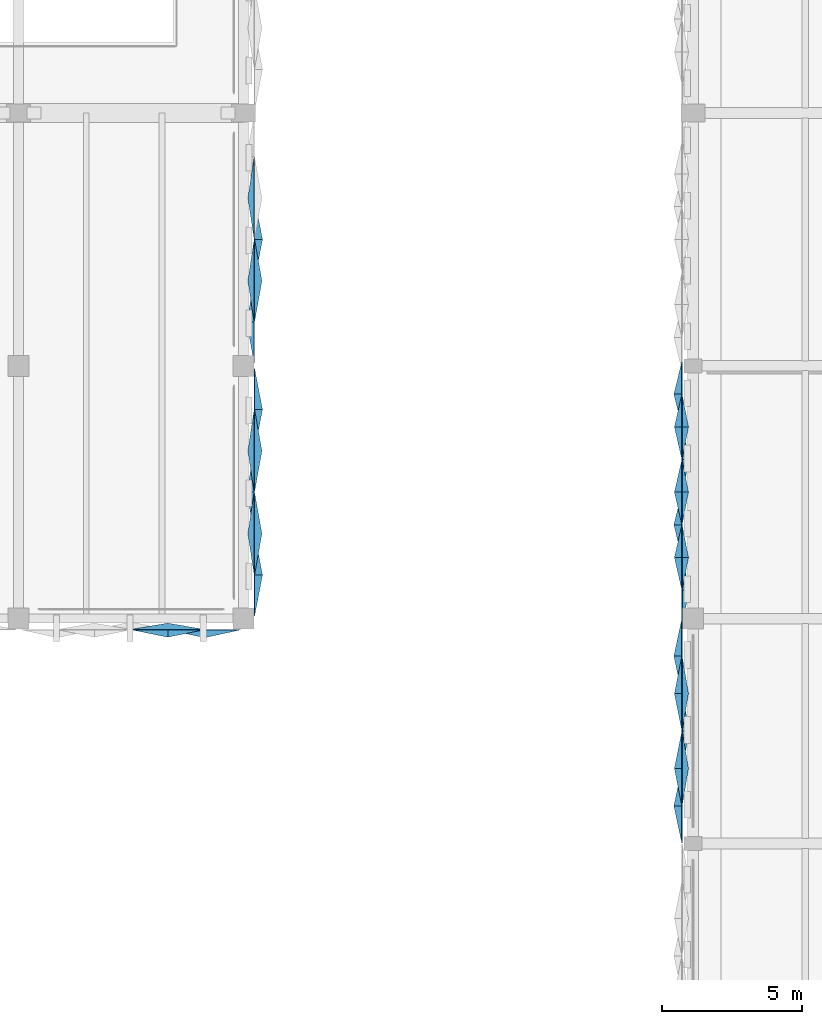
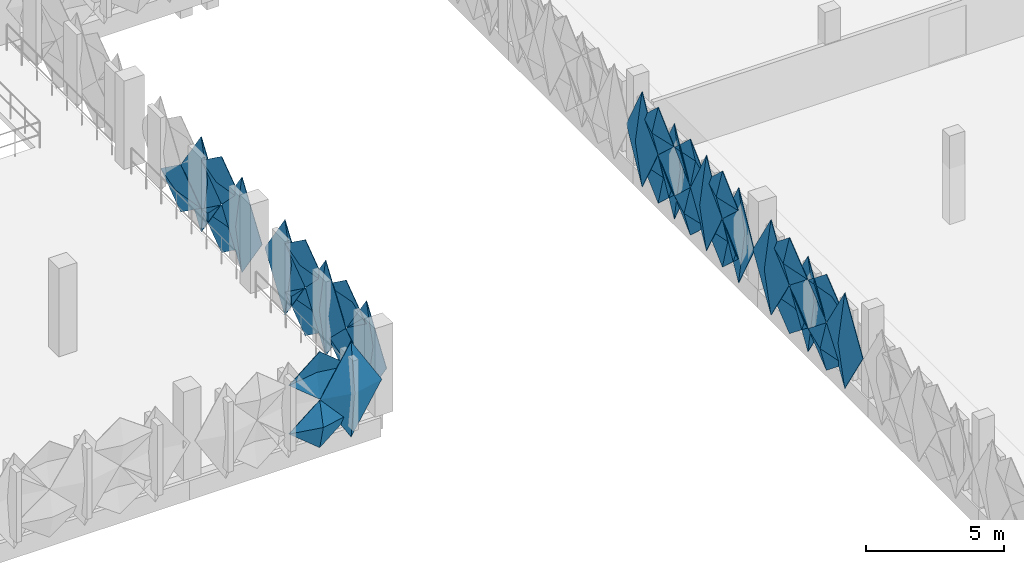
# One storey, part 58 of 76: 32 plates.
"""IFC4 building model written with IfcOpenShell, lengths in metres."""

from ifc_helpers import new_model, si_unit, derived_unit, direction, frame, origin, place, context, subcontext, project, spatial, polygons, material, layer, layer_set, type_object, element, save


model = new_model("IFC4")

# Units and contexts
model_context = context("Model", 3, precision=1e-05, world=origin(), true_north=direction((0.0, 1.0)))
body_context = subcontext(model_context, "Body", "Model", "MODEL_VIEW")
ifc_project = project(units=[si_unit("LENGTHUNIT", "METRE"), si_unit("AREAUNIT", "SQUARE_METRE"), si_unit("VOLUMEUNIT", "CUBIC_METRE"), si_unit("PLANEANGLEUNIT", "RADIAN"), si_unit("MASSUNIT", "GRAM", prefix="KILO"), si_unit("THERMODYNAMICTEMPERATUREUNIT", "KELVIN"), derived_unit("THERMALTRANSMITTANCEUNIT", [(si_unit("POWERUNIT", "WATT"), 1), (si_unit("AREAUNIT", "SQUARE_METRE"), -1), (si_unit("THERMODYNAMICTEMPERATUREUNIT", "KELVIN"), -1)])], contexts=[model_context])

# Site, building, storey
site_placement = place(None, origin())
site = spatial("IfcSite", under=ifc_project, at=site_placement, CompositionType="ELEMENT")
building_placement = place(site_placement, origin())
building = spatial("IfcBuilding", under=site, at=building_placement, Name="Haiyu Intermodal Mobility Hub", CompositionType="ELEMENT")
storey_placement = place(building_placement, frame((0.0, 0.0, 17.300048828125)))
storey = spatial("IfcBuildingStorey", under=building, at=storey_placement, Name="L04", CompositionType="ELEMENT", Elevation=17.300048828125)

# Plates
ifc_material = material(Name="Anodised aluminium 6063-T6", Category="aluminium")
ifc_layer_1 = layer(ifc_material, 0.01806640625)
ifc_layer_set_1 = layer_set([ifc_layer_1], Name="Anodised aluminium 6063-T6")
plate_type_1 = type_object("IfcPlateType", Name="PLT-FC01", PredefinedType="USERDEFINED", material=ifc_layer_set_1)
plate_1_placement = place(storey_placement, origin())
element("IfcPlate", 1, at=plate_1_placement, inside=storey, type_object=plate_type_1, Name="PLT-PYR-0705", ObjectType="FACADE CASSETTE", PredefinedType="USERDEFINED", context=body_context, shape_type="Tessellation", body=[
    polygons([(146.39990234375, 105.552978515625, -0.510009765625), (146.39990234375, 107.007080078125, 1.599853515625), (146.39990234375, 105.552978515625, 3.7099609375), (146.39990234375, 104.10009765625, 1.599853515625), (146.679931640625, 105.552978515625, 1.599853515625), (146.3779296875, 105.552978515625, -0.510009765625), (146.3779296875, 107.007080078125, 1.599853515625), (146.3779296875, 105.552978515625, 3.7099609375), (146.3779296875, 104.10009765625, 1.599853515625), (146.657958984375, 105.552978515625, 1.599853515625)], [[[1, 2, 5]], [[2, 3, 5]], [[3, 4, 5]], [[4, 1, 5]], [[7, 6, 10]], [[8, 7, 10]], [[9, 8, 10]], [[6, 9, 10]], [[1, 6, 7, 2]], [[2, 7, 8, 3]], [[3, 8, 9, 4]], [[4, 9, 6, 1]]], closed=True),
])
plate_2_placement = place(storey_placement, origin())
element("IfcPlate", 2, at=plate_2_placement, inside=storey, type_object=plate_type_1, Name="PLT-PYR-0709", ObjectType="FACADE CASSETTE", PredefinedType="USERDEFINED", context=body_context, shape_type="Tessellation", body=[
    polygons([(146.39990234375, 109.972900390625, -0.52001953125), (146.39990234375, 111.427001953125, 0.530029296875), (146.39990234375, 109.972900390625, 1.579833984375), (146.39990234375, 108.52001953125, 0.530029296875), (146.659912109375, 109.972900390625, 0.530029296875), (146.3779296875, 109.972900390625, -0.52001953125), (146.3779296875, 111.427001953125, 0.530029296875), (146.3779296875, 109.972900390625, 1.579833984375), (146.3779296875, 108.52001953125, 0.530029296875), (146.637939453125, 109.972900390625, 0.530029296875)], [[[1, 2, 5]], [[2, 3, 5]], [[3, 4, 5]], [[4, 1, 5]], [[7, 6, 10]], [[8, 7, 10]], [[9, 8, 10]], [[6, 9, 10]], [[1, 6, 7, 2]], [[2, 7, 8, 3]], [[3, 8, 9, 4]], [[4, 9, 6, 1]]], closed=True),
])
plate_3_placement = place(storey_placement, origin())
element("IfcPlate", 3, at=plate_3_placement, inside=storey, type_object=plate_type_1, Name="PLT-PYR-0713", ObjectType="FACADE CASSETTE", PredefinedType="USERDEFINED", context=body_context, shape_type="Tessellation", body=[
    polygons([(146.39990234375, 116.027099609375, -0.52001953125), (146.39990234375, 117.47998046875, 0.530029296875), (146.39990234375, 116.027099609375, 1.579833984375), (146.39990234375, 114.572998046875, 0.530029296875), (146.659912109375, 116.027099609375, 0.530029296875), (146.3779296875, 116.027099609375, -0.52001953125), (146.3779296875, 117.47998046875, 0.530029296875), (146.3779296875, 116.027099609375, 1.579833984375), (146.3779296875, 114.572998046875, 0.530029296875), (146.637939453125, 116.027099609375, 0.530029296875)], [[[1, 2, 5]], [[2, 3, 5]], [[3, 4, 5]], [[4, 1, 5]], [[7, 6, 10]], [[8, 7, 10]], [[9, 8, 10]], [[6, 9, 10]], [[1, 6, 7, 2]], [[2, 7, 8, 3]], [[3, 8, 9, 4]], [[4, 9, 6, 1]]], closed=True),
])
plate_4_placement = place(storey_placement, origin())
element("IfcPlate", 4, at=plate_4_placement, inside=storey, type_object=plate_type_1, Name="PLT-PYR-1005", ObjectType="FACADE CASSETTE", PredefinedType="USERDEFINED", context=body_context, shape_type="Tessellation", body=[
    polygons([(143.306884765625, 103.60009765625, -0.52001953125), (144.593017578125, 103.60009765625, 0.530029296875), (143.306884765625, 103.60009765625, 1.579833984375), (142.02001953125, 103.60009765625, 0.530029296875), (143.306884765625, 103.340087890625, 0.530029296875), (143.306884765625, 103.6220703125, -0.52001953125), (144.593017578125, 103.6220703125, 0.530029296875), (143.306884765625, 103.6220703125, 1.579833984375), (142.02001953125, 103.6220703125, 0.530029296875), (143.306884765625, 103.362060546875, 0.530029296875)], [[[1, 2, 5]], [[2, 3, 5]], [[3, 4, 5]], [[4, 1, 5]], [[7, 6, 10]], [[8, 7, 10]], [[9, 8, 10]], [[6, 9, 10]], [[1, 6, 7, 2]], [[2, 7, 8, 3]], [[3, 8, 9, 4]], [[4, 9, 6, 1]]], closed=True),
])
plate_5_placement = place(storey_placement, origin())
element("IfcPlate", 5, at=plate_5_placement, inside=storey, type_object=plate_type_1, Name="PLT-PYR-1982", ObjectType="FACADE CASSETTE", PredefinedType="USERDEFINED", context=body_context, shape_type="Tessellation", body=[
    polygons([(161.60009765625, 111.988037109375, -0.510009765625), (161.60009765625, 110.844970703125, 1.599853515625), (161.60009765625, 111.988037109375, 3.7099609375), (161.60009765625, 113.1298828125, 1.599853515625), (161.320068359375, 111.988037109375, 1.599853515625), (161.6220703125, 111.988037109375, -0.510009765625), (161.6220703125, 110.844970703125, 1.599853515625), (161.6220703125, 111.988037109375, 3.7099609375), (161.6220703125, 113.1298828125, 1.599853515625), (161.342041015625, 111.988037109375, 1.599853515625)], [[[1, 2, 5]], [[2, 3, 5]], [[3, 4, 5]], [[4, 1, 5]], [[7, 6, 10]], [[8, 7, 10]], [[9, 8, 10]], [[6, 9, 10]], [[1, 6, 7, 2]], [[2, 7, 8, 3]], [[3, 8, 9, 4]], [[4, 9, 6, 1]]], closed=True),
])
plate_6_placement = place(storey_placement, origin())
element("IfcPlate", 6, at=plate_6_placement, inside=storey, type_object=plate_type_1, Name="PLT-PYR-1986", ObjectType="FACADE CASSETTE", PredefinedType="USERDEFINED", context=body_context, shape_type="Tessellation", body=[
    polygons([(161.60009765625, 108.5, -0.52001953125), (161.60009765625, 107.35791015625, 0.530029296875), (161.60009765625, 108.5, 1.579833984375), (161.60009765625, 109.64306640625, 0.530029296875), (161.340087890625, 108.5, 0.530029296875), (161.6220703125, 108.5, -0.52001953125), (161.6220703125, 107.35791015625, 0.530029296875), (161.6220703125, 108.5, 1.579833984375), (161.6220703125, 109.64306640625, 0.530029296875), (161.362060546875, 108.5, 0.530029296875)], [[[1, 2, 5]], [[2, 3, 5]], [[3, 4, 5]], [[4, 1, 5]], [[7, 6, 10]], [[8, 7, 10]], [[9, 8, 10]], [[6, 9, 10]], [[1, 6, 7, 2]], [[2, 7, 8, 3]], [[3, 8, 9, 4]], [[4, 9, 6, 1]]], closed=True),
])
plate_7_placement = place(storey_placement, origin())
element("IfcPlate", 7, at=plate_7_placement, inside=storey, type_object=plate_type_1, Name="PLT-PYR-2162", ObjectType="FACADE CASSETTE", PredefinedType="USERDEFINED", context=body_context, shape_type="Tessellation", body=[
    polygons([(161.60009765625, 102.6669921875, -0.510009765625), (161.60009765625, 101.35302734375, 1.599853515625), (161.60009765625, 102.6669921875, 3.7099609375), (161.60009765625, 103.97998046875, 1.599853515625), (161.320068359375, 102.6669921875, 1.599853515625), (161.6220703125, 102.6669921875, -0.510009765625), (161.6220703125, 101.35302734375, 1.599853515625), (161.6220703125, 102.6669921875, 3.7099609375), (161.6220703125, 103.97998046875, 1.599853515625), (161.342041015625, 102.6669921875, 1.599853515625)], [[[1, 2, 5]], [[2, 3, 5]], [[3, 4, 5]], [[4, 1, 5]], [[7, 6, 10]], [[8, 7, 10]], [[9, 8, 10]], [[6, 9, 10]], [[1, 6, 7, 2]], [[2, 7, 8, 3]], [[3, 8, 9, 4]], [[4, 9, 6, 1]]], closed=True),
])
plate_8_placement = place(storey_placement, origin())
element("IfcPlate", 8, at=plate_8_placement, inside=storey, type_object=plate_type_1, Name="PLT-PYR-2166", ObjectType="FACADE CASSETTE", PredefinedType="USERDEFINED", context=body_context, shape_type="Tessellation", body=[
    polygons([(161.60009765625, 98.6669921875, -0.52001953125), (161.60009765625, 97.35302734375, 0.530029296875), (161.60009765625, 98.6669921875, 1.579833984375), (161.60009765625, 99.97998046875, 0.530029296875), (161.340087890625, 98.6669921875, 0.530029296875), (161.6220703125, 98.6669921875, -0.52001953125), (161.6220703125, 97.35302734375, 0.530029296875), (161.6220703125, 98.6669921875, 1.579833984375), (161.6220703125, 99.97998046875, 0.530029296875), (161.362060546875, 98.6669921875, 0.530029296875)], [[[1, 2, 5]], [[2, 3, 5]], [[3, 4, 5]], [[4, 1, 5]], [[7, 6, 10]], [[8, 7, 10]], [[9, 8, 10]], [[6, 9, 10]], [[1, 6, 7, 2]], [[2, 7, 8, 3]], [[3, 8, 9, 4]], [[4, 9, 6, 1]]], closed=True),
])
ifc_layer_2 = layer(ifc_material, 0.02001953125)
ifc_layer_set_2 = layer_set([ifc_layer_2], Name="Anodised aluminium 6063-T6")
plate_type_2 = type_object("IfcPlateType", Name="PLT-FC02", PredefinedType="USERDEFINED", material=ifc_layer_set_2)
plate_9_placement = place(storey_placement, origin())
element("IfcPlate", 9, at=plate_9_placement, inside=storey, type_object=plate_type_2, Name="PLT-PYR-0706", ObjectType="FACADE CASSETTE", PredefinedType="USERDEFINED", context=body_context, shape_type="Tessellation", body=[
    polygons([(146.39990234375, 107.027099609375, -0.52001953125), (146.39990234375, 108.47998046875, 0.530029296875), (146.39990234375, 107.027099609375, 1.579833984375), (146.39990234375, 105.572998046875, 0.530029296875), (146.179931640625, 107.027099609375, 0.530029296875), (146.3779296875, 107.027099609375, -0.52001953125), (146.3779296875, 108.47998046875, 0.530029296875), (146.3779296875, 107.027099609375, 1.579833984375), (146.3779296875, 105.572998046875, 0.530029296875), (146.157958984375, 107.027099609375, 0.530029296875)], [[[1, 2, 5]], [[2, 3, 5]], [[3, 4, 5]], [[4, 1, 5]], [[7, 6, 10]], [[8, 7, 10]], [[9, 8, 10]], [[6, 9, 10]], [[1, 6, 7, 2]], [[2, 7, 8, 3]], [[3, 8, 9, 4]], [[4, 9, 6, 1]]], closed=True),
])
plate_10_placement = place(storey_placement, origin())
element("IfcPlate", 10, at=plate_10_placement, inside=storey, type_object=plate_type_2, Name="PLT-PYR-0712", ObjectType="FACADE CASSETTE", PredefinedType="USERDEFINED", context=body_context, shape_type="Tessellation", body=[
    polygons([(146.39990234375, 114.552978515625, -0.510009765625), (146.39990234375, 116.007080078125, 1.599853515625), (146.39990234375, 114.552978515625, 3.7099609375), (146.39990234375, 113.10009765625, 1.599853515625), (146.139892578125, 114.552978515625, 1.599853515625), (146.3779296875, 114.552978515625, -0.510009765625), (146.3779296875, 116.007080078125, 1.599853515625), (146.3779296875, 114.552978515625, 3.7099609375), (146.3779296875, 113.10009765625, 1.599853515625), (146.117919921875, 114.552978515625, 1.599853515625)], [[[1, 2, 5]], [[2, 3, 5]], [[3, 4, 5]], [[4, 1, 5]], [[7, 6, 10]], [[8, 7, 10]], [[9, 8, 10]], [[6, 9, 10]], [[1, 6, 7, 2]], [[2, 7, 8, 3]], [[3, 8, 9, 4]], [[4, 9, 6, 1]]], closed=True),
])
plate_11_placement = place(storey_placement, origin())
element("IfcPlate", 11, at=plate_11_placement, inside=storey, type_object=plate_type_2, Name="PLT-PYR-0716", ObjectType="FACADE CASSETTE", PredefinedType="USERDEFINED", context=body_context, shape_type="Tessellation", body=[
    polygons([(146.39990234375, 118.972900390625, -0.52001953125), (146.39990234375, 120.427001953125, 0.530029296875), (146.39990234375, 118.972900390625, 1.579833984375), (146.39990234375, 117.52001953125, 0.530029296875), (146.179931640625, 118.972900390625, 0.530029296875), (146.3779296875, 118.972900390625, -0.52001953125), (146.3779296875, 120.427001953125, 0.530029296875), (146.3779296875, 118.972900390625, 1.579833984375), (146.3779296875, 117.52001953125, 0.530029296875), (146.157958984375, 118.972900390625, 0.530029296875)], [[[1, 2, 5]], [[2, 3, 5]], [[3, 4, 5]], [[4, 1, 5]], [[7, 6, 10]], [[8, 7, 10]], [[9, 8, 10]], [[6, 9, 10]], [[1, 6, 7, 2]], [[2, 7, 8, 3]], [[3, 8, 9, 4]], [[4, 9, 6, 1]]], closed=True),
])
plate_12_placement = place(storey_placement, origin())
element("IfcPlate", 12, at=plate_12_placement, inside=storey, type_object=plate_type_2, Name="PLT-PYR-1983", ObjectType="FACADE CASSETTE", PredefinedType="USERDEFINED", context=body_context, shape_type="Tessellation", body=[
    polygons([(161.60009765625, 110.824951171875, -0.52001953125), (161.60009765625, 109.681884765625, 0.530029296875), (161.60009765625, 110.824951171875, 1.579833984375), (161.60009765625, 111.968017578125, 0.530029296875), (161.820068359375, 110.824951171875, 0.530029296875), (161.6220703125, 110.824951171875, -0.52001953125), (161.6220703125, 109.681884765625, 0.530029296875), (161.6220703125, 110.824951171875, 1.579833984375), (161.6220703125, 111.968017578125, 0.530029296875), (161.842041015625, 110.824951171875, 0.530029296875)], [[[1, 2, 5]], [[2, 3, 5]], [[3, 4, 5]], [[4, 1, 5]], [[7, 6, 10]], [[8, 7, 10]], [[9, 8, 10]], [[6, 9, 10]], [[1, 6, 7, 2]], [[2, 7, 8, 3]], [[3, 8, 9, 4]], [[4, 9, 6, 1]]], closed=True),
])
plate_13_placement = place(storey_placement, origin())
element("IfcPlate", 13, at=plate_13_placement, inside=storey, type_object=plate_type_2, Name="PLT-PYR-1989", ObjectType="FACADE CASSETTE", PredefinedType="USERDEFINED", context=body_context, shape_type="Tessellation", body=[
    polygons([(161.60009765625, 106.175048828125, -0.52001953125), (161.60009765625, 105.031982421875, 0.530029296875), (161.60009765625, 106.175048828125, 1.579833984375), (161.60009765625, 107.318115234375, 0.530029296875), (161.820068359375, 106.175048828125, 0.530029296875), (161.6220703125, 106.175048828125, -0.52001953125), (161.6220703125, 105.031982421875, 0.530029296875), (161.6220703125, 106.175048828125, 1.579833984375), (161.6220703125, 107.318115234375, 0.530029296875), (161.842041015625, 106.175048828125, 0.530029296875)], [[[1, 2, 5]], [[2, 3, 5]], [[3, 4, 5]], [[4, 1, 5]], [[7, 6, 10]], [[8, 7, 10]], [[9, 8, 10]], [[6, 9, 10]], [[1, 6, 7, 2]], [[2, 7, 8, 3]], [[3, 8, 9, 4]], [[4, 9, 6, 1]]], closed=True),
])
plate_14_placement = place(storey_placement, origin())
element("IfcPlate", 14, at=plate_14_placement, inside=storey, type_object=plate_type_2, Name="PLT-PYR-2163", ObjectType="FACADE CASSETTE", PredefinedType="USERDEFINED", context=body_context, shape_type="Tessellation", body=[
    polygons([(161.60009765625, 101.3330078125, -0.52001953125), (161.60009765625, 100.02001953125, 0.530029296875), (161.60009765625, 101.3330078125, 1.579833984375), (161.60009765625, 102.64697265625, 0.530029296875), (161.820068359375, 101.3330078125, 0.530029296875), (161.6220703125, 101.3330078125, -0.52001953125), (161.6220703125, 100.02001953125, 0.530029296875), (161.6220703125, 101.3330078125, 1.579833984375), (161.6220703125, 102.64697265625, 0.530029296875), (161.842041015625, 101.3330078125, 0.530029296875)], [[[1, 2, 5]], [[2, 3, 5]], [[3, 4, 5]], [[4, 1, 5]], [[7, 6, 10]], [[8, 7, 10]], [[9, 8, 10]], [[6, 9, 10]], [[1, 6, 7, 2]], [[2, 7, 8, 3]], [[3, 8, 9, 4]], [[4, 9, 6, 1]]], closed=True),
])
ifc_layer_3 = layer(ifc_material, 0.01806640625)
ifc_layer_set_3 = layer_set([ifc_layer_3], Name="Anodised aluminium 6063-T6")
plate_type_3 = type_object("IfcPlateType", Name="PLT-FC03", PredefinedType="USERDEFINED", material=ifc_layer_set_3)
plate_15_placement = place(storey_placement, origin())
element("IfcPlate", 15, at=plate_15_placement, inside=storey, type_object=plate_type_3, Name="PLT-PYR-0707", ObjectType="FACADE CASSETTE", PredefinedType="USERDEFINED", context=body_context, shape_type="Tessellation", body=[
    polygons([(146.39990234375, 107.027099609375, 1.619873046875), (146.39990234375, 108.47998046875, 2.669921875), (146.39990234375, 107.027099609375, 3.719970703125), (146.39990234375, 105.572998046875, 2.669921875), (146.659912109375, 107.027099609375, 2.669921875), (146.3779296875, 107.027099609375, 1.619873046875), (146.3779296875, 108.47998046875, 2.669921875), (146.3779296875, 107.027099609375, 3.719970703125), (146.3779296875, 105.572998046875, 2.669921875), (146.637939453125, 107.027099609375, 2.669921875)], [[[1, 2, 5]], [[2, 3, 5]], [[3, 4, 5]], [[4, 1, 5]], [[7, 6, 10]], [[8, 7, 10]], [[9, 8, 10]], [[6, 9, 10]], [[1, 6, 7, 2]], [[2, 7, 8, 3]], [[3, 8, 9, 4]], [[4, 9, 6, 1]]], closed=True),
])
plate_16_placement = place(storey_placement, origin())
element("IfcPlate", 16, at=plate_16_placement, inside=storey, type_object=plate_type_3, Name="PLT-PYR-0715", ObjectType="FACADE CASSETTE", PredefinedType="USERDEFINED", context=body_context, shape_type="Tessellation", body=[
    polygons([(146.39990234375, 117.5, -0.510009765625), (146.39990234375, 118.952880859375, 1.599853515625), (146.39990234375, 117.5, 3.7099609375), (146.39990234375, 116.047119140625, 1.599853515625), (146.679931640625, 117.5, 1.599853515625), (146.3779296875, 117.5, -0.510009765625), (146.3779296875, 118.952880859375, 1.599853515625), (146.3779296875, 117.5, 3.7099609375), (146.3779296875, 116.047119140625, 1.599853515625), (146.657958984375, 117.5, 1.599853515625)], [[[1, 2, 5]], [[2, 3, 5]], [[3, 4, 5]], [[4, 1, 5]], [[7, 6, 10]], [[8, 7, 10]], [[9, 8, 10]], [[6, 9, 10]], [[1, 6, 7, 2]], [[2, 7, 8, 3]], [[3, 8, 9, 4]], [[4, 9, 6, 1]]], closed=True),
])
plate_17_placement = place(storey_placement, origin())
element("IfcPlate", 17, at=plate_17_placement, inside=storey, type_object=plate_type_3, Name="PLT-PYR-1984", ObjectType="FACADE CASSETTE", PredefinedType="USERDEFINED", context=body_context, shape_type="Tessellation", body=[
    polygons([(161.60009765625, 110.824951171875, 1.619873046875), (161.60009765625, 109.681884765625, 2.669921875), (161.60009765625, 110.824951171875, 3.719970703125), (161.60009765625, 111.968017578125, 2.669921875), (161.340087890625, 110.824951171875, 2.669921875), (161.6220703125, 110.824951171875, 1.619873046875), (161.6220703125, 109.681884765625, 2.669921875), (161.6220703125, 110.824951171875, 3.719970703125), (161.6220703125, 111.968017578125, 2.669921875), (161.362060546875, 110.824951171875, 2.669921875)], [[[1, 2, 5]], [[2, 3, 5]], [[3, 4, 5]], [[4, 1, 5]], [[7, 6, 10]], [[8, 7, 10]], [[9, 8, 10]], [[6, 9, 10]], [[1, 6, 7, 2]], [[2, 7, 8, 3]], [[3, 8, 9, 4]], [[4, 9, 6, 1]]], closed=True),
])
plate_18_placement = place(storey_placement, origin())
element("IfcPlate", 18, at=plate_18_placement, inside=storey, type_object=plate_type_3, Name="PLT-PYR-1990", ObjectType="FACADE CASSETTE", PredefinedType="USERDEFINED", context=body_context, shape_type="Tessellation", body=[
    polygons([(161.60009765625, 106.175048828125, 1.619873046875), (161.60009765625, 105.031982421875, 2.669921875), (161.60009765625, 106.175048828125, 3.719970703125), (161.60009765625, 107.318115234375, 2.669921875), (161.340087890625, 106.175048828125, 2.669921875), (161.6220703125, 106.175048828125, 1.619873046875), (161.6220703125, 105.031982421875, 2.669921875), (161.6220703125, 106.175048828125, 3.719970703125), (161.6220703125, 107.318115234375, 2.669921875), (161.362060546875, 106.175048828125, 2.669921875)], [[[1, 2, 5]], [[2, 3, 5]], [[3, 4, 5]], [[4, 1, 5]], [[7, 6, 10]], [[8, 7, 10]], [[9, 8, 10]], [[6, 9, 10]], [[1, 6, 7, 2]], [[2, 7, 8, 3]], [[3, 8, 9, 4]], [[4, 9, 6, 1]]], closed=True),
])
plate_19_placement = place(storey_placement, origin())
element("IfcPlate", 19, at=plate_19_placement, inside=storey, type_object=plate_type_3, Name="PLT-PYR-2164", ObjectType="FACADE CASSETTE", PredefinedType="USERDEFINED", context=body_context, shape_type="Tessellation", body=[
    polygons([(161.60009765625, 101.3330078125, 1.619873046875), (161.60009765625, 100.02001953125, 2.669921875), (161.60009765625, 101.3330078125, 3.719970703125), (161.60009765625, 102.64697265625, 2.669921875), (161.340087890625, 101.3330078125, 2.669921875), (161.6220703125, 101.3330078125, 1.619873046875), (161.6220703125, 100.02001953125, 2.669921875), (161.6220703125, 101.3330078125, 3.719970703125), (161.6220703125, 102.64697265625, 2.669921875), (161.362060546875, 101.3330078125, 2.669921875)], [[[1, 2, 5]], [[2, 3, 5]], [[3, 4, 5]], [[4, 1, 5]], [[7, 6, 10]], [[8, 7, 10]], [[9, 8, 10]], [[6, 9, 10]], [[1, 6, 7, 2]], [[2, 7, 8, 3]], [[3, 8, 9, 4]], [[4, 9, 6, 1]]], closed=True),
])
ifc_layer_4 = layer(ifc_material, 0.02001953125)
ifc_layer_set_4 = layer_set([ifc_layer_4], Name="Anodised aluminium 6063-T6")
plate_type_4 = type_object("IfcPlateType", Name="PLT-FC04", PredefinedType="USERDEFINED", material=ifc_layer_set_4)
plate_20_placement = place(storey_placement, origin())
element("IfcPlate", 20, at=plate_20_placement, inside=storey, type_object=plate_type_4, Name="PLT-PYR-0708", ObjectType="FACADE CASSETTE", PredefinedType="USERDEFINED", context=body_context, shape_type="Tessellation", body=[
    polygons([(146.39990234375, 108.5, -0.510009765625), (146.39990234375, 109.952880859375, 1.599853515625), (146.39990234375, 108.5, 3.7099609375), (146.39990234375, 107.047119140625, 1.599853515625), (146.139892578125, 108.5, 1.599853515625), (146.3779296875, 108.5, -0.510009765625), (146.3779296875, 109.952880859375, 1.599853515625), (146.3779296875, 108.5, 3.7099609375), (146.3779296875, 107.047119140625, 1.599853515625), (146.117919921875, 108.5, 1.599853515625)], [[[1, 2, 5]], [[2, 3, 5]], [[3, 4, 5]], [[4, 1, 5]], [[7, 6, 10]], [[8, 7, 10]], [[9, 8, 10]], [[6, 9, 10]], [[1, 6, 7, 2]], [[2, 7, 8, 3]], [[3, 8, 9, 4]], [[4, 9, 6, 1]]], closed=True),
])
plate_21_placement = place(storey_placement, origin())
element("IfcPlate", 21, at=plate_21_placement, inside=storey, type_object=plate_type_4, Name="PLT-PYR-0710", ObjectType="FACADE CASSETTE", PredefinedType="USERDEFINED", context=body_context, shape_type="Tessellation", body=[
    polygons([(146.39990234375, 109.972900390625, 1.619873046875), (146.39990234375, 111.427001953125, 2.669921875), (146.39990234375, 109.972900390625, 3.719970703125), (146.39990234375, 108.52001953125, 2.669921875), (146.179931640625, 109.972900390625, 2.669921875), (146.3779296875, 109.972900390625, 1.619873046875), (146.3779296875, 111.427001953125, 2.669921875), (146.3779296875, 109.972900390625, 3.719970703125), (146.3779296875, 108.52001953125, 2.669921875), (146.157958984375, 109.972900390625, 2.669921875)], [[[1, 2, 5]], [[2, 3, 5]], [[3, 4, 5]], [[4, 1, 5]], [[7, 6, 10]], [[8, 7, 10]], [[9, 8, 10]], [[6, 9, 10]], [[1, 6, 7, 2]], [[2, 7, 8, 3]], [[3, 8, 9, 4]], [[4, 9, 6, 1]]], closed=True),
])
plate_22_placement = place(storey_placement, origin())
element("IfcPlate", 22, at=plate_22_placement, inside=storey, type_object=plate_type_4, Name="PLT-PYR-0714", ObjectType="FACADE CASSETTE", PredefinedType="USERDEFINED", context=body_context, shape_type="Tessellation", body=[
    polygons([(146.39990234375, 116.027099609375, 1.619873046875), (146.39990234375, 117.47998046875, 2.669921875), (146.39990234375, 116.027099609375, 3.719970703125), (146.39990234375, 114.572998046875, 2.669921875), (146.179931640625, 116.027099609375, 2.669921875), (146.3779296875, 116.027099609375, 1.619873046875), (146.3779296875, 117.47998046875, 2.669921875), (146.3779296875, 116.027099609375, 3.719970703125), (146.3779296875, 114.572998046875, 2.669921875), (146.157958984375, 116.027099609375, 2.669921875)], [[[1, 2, 5]], [[2, 3, 5]], [[3, 4, 5]], [[4, 1, 5]], [[7, 6, 10]], [[8, 7, 10]], [[9, 8, 10]], [[6, 9, 10]], [[1, 6, 7, 2]], [[2, 7, 8, 3]], [[3, 8, 9, 4]], [[4, 9, 6, 1]]], closed=True),
])
plate_23_placement = place(storey_placement, origin())
element("IfcPlate", 23, at=plate_23_placement, inside=storey, type_object=plate_type_4, Name="PLT-PYR-1006", ObjectType="FACADE CASSETTE", PredefinedType="USERDEFINED", context=body_context, shape_type="Tessellation", body=[
    polygons([(143.306884765625, 103.60009765625, 1.619873046875), (144.593017578125, 103.60009765625, 2.669921875), (143.306884765625, 103.60009765625, 3.719970703125), (142.02001953125, 103.60009765625, 2.669921875), (143.306884765625, 103.820068359375, 2.669921875), (143.306884765625, 103.6220703125, 1.619873046875), (144.593017578125, 103.6220703125, 2.669921875), (143.306884765625, 103.6220703125, 3.719970703125), (142.02001953125, 103.6220703125, 2.669921875), (143.306884765625, 103.842041015625, 2.669921875)], [[[1, 2, 5]], [[2, 3, 5]], [[3, 4, 5]], [[4, 1, 5]], [[7, 6, 10]], [[8, 7, 10]], [[9, 8, 10]], [[6, 9, 10]], [[1, 6, 7, 2]], [[2, 7, 8, 3]], [[3, 8, 9, 4]], [[4, 9, 6, 1]]], closed=True),
])
plate_24_placement = place(storey_placement, origin())
element("IfcPlate", 24, at=plate_24_placement, inside=storey, type_object=plate_type_4, Name="PLT-PYR-1985", ObjectType="FACADE CASSETTE", PredefinedType="USERDEFINED", context=body_context, shape_type="Tessellation", body=[
    polygons([(161.60009765625, 109.6630859375, -0.510009765625), (161.60009765625, 108.52001953125, 1.599853515625), (161.60009765625, 109.6630859375, 3.7099609375), (161.60009765625, 110.804931640625, 1.599853515625), (161.860107421875, 109.6630859375, 1.599853515625), (161.6220703125, 109.6630859375, -0.510009765625), (161.6220703125, 108.52001953125, 1.599853515625), (161.6220703125, 109.6630859375, 3.7099609375), (161.6220703125, 110.804931640625, 1.599853515625), (161.882080078125, 109.6630859375, 1.599853515625)], [[[1, 2, 5]], [[2, 3, 5]], [[3, 4, 5]], [[4, 1, 5]], [[7, 6, 10]], [[8, 7, 10]], [[9, 8, 10]], [[6, 9, 10]], [[1, 6, 7, 2]], [[2, 7, 8, 3]], [[3, 8, 9, 4]], [[4, 9, 6, 1]]], closed=True),
])
plate_25_placement = place(storey_placement, origin())
element("IfcPlate", 25, at=plate_25_placement, inside=storey, type_object=plate_type_4, Name="PLT-PYR-1987", ObjectType="FACADE CASSETTE", PredefinedType="USERDEFINED", context=body_context, shape_type="Tessellation", body=[
    polygons([(161.60009765625, 108.5, 1.619873046875), (161.60009765625, 107.35791015625, 2.669921875), (161.60009765625, 108.5, 3.719970703125), (161.60009765625, 109.64306640625, 2.669921875), (161.820068359375, 108.5, 2.669921875), (161.6220703125, 108.5, 1.619873046875), (161.6220703125, 107.35791015625, 2.669921875), (161.6220703125, 108.5, 3.719970703125), (161.6220703125, 109.64306640625, 2.669921875), (161.842041015625, 108.5, 2.669921875)], [[[1, 2, 5]], [[2, 3, 5]], [[3, 4, 5]], [[4, 1, 5]], [[7, 6, 10]], [[8, 7, 10]], [[9, 8, 10]], [[6, 9, 10]], [[1, 6, 7, 2]], [[2, 7, 8, 3]], [[3, 8, 9, 4]], [[4, 9, 6, 1]]], closed=True),
])
plate_26_placement = place(storey_placement, origin())
element("IfcPlate", 26, at=plate_26_placement, inside=storey, type_object=plate_type_4, Name="PLT-PYR-2165", ObjectType="FACADE CASSETTE", PredefinedType="USERDEFINED", context=body_context, shape_type="Tessellation", body=[
    polygons([(161.60009765625, 100.0, -0.510009765625), (161.60009765625, 98.68701171875, 1.599853515625), (161.60009765625, 100.0, 3.7099609375), (161.60009765625, 101.31298828125, 1.599853515625), (161.860107421875, 100.0, 1.599853515625), (161.6220703125, 100.0, -0.510009765625), (161.6220703125, 98.68701171875, 1.599853515625), (161.6220703125, 100.0, 3.7099609375), (161.6220703125, 101.31298828125, 1.599853515625), (161.882080078125, 100.0, 1.599853515625)], [[[1, 2, 5]], [[2, 3, 5]], [[3, 4, 5]], [[4, 1, 5]], [[7, 6, 10]], [[8, 7, 10]], [[9, 8, 10]], [[6, 9, 10]], [[1, 6, 7, 2]], [[2, 7, 8, 3]], [[3, 8, 9, 4]], [[4, 9, 6, 1]]], closed=True),
])
plate_27_placement = place(storey_placement, origin())
element("IfcPlate", 27, at=plate_27_placement, inside=storey, type_object=plate_type_4, Name="PLT-PYR-2167", ObjectType="FACADE CASSETTE", PredefinedType="USERDEFINED", context=body_context, shape_type="Tessellation", body=[
    polygons([(161.60009765625, 98.6669921875, 1.619873046875), (161.60009765625, 97.35302734375, 2.669921875), (161.60009765625, 98.6669921875, 3.719970703125), (161.60009765625, 99.97998046875, 2.669921875), (161.820068359375, 98.6669921875, 2.669921875), (161.6220703125, 98.6669921875, 1.619873046875), (161.6220703125, 97.35302734375, 2.669921875), (161.6220703125, 98.6669921875, 3.719970703125), (161.6220703125, 99.97998046875, 2.669921875), (161.842041015625, 98.6669921875, 2.669921875)], [[[1, 2, 5]], [[2, 3, 5]], [[3, 4, 5]], [[4, 1, 5]], [[7, 6, 10]], [[8, 7, 10]], [[9, 8, 10]], [[6, 9, 10]], [[1, 6, 7, 2]], [[2, 7, 8, 3]], [[3, 8, 9, 4]], [[4, 9, 6, 1]]], closed=True),
])
ifc_layer_5 = layer(ifc_material, 0.01806640625)
ifc_layer_set_5 = layer_set([ifc_layer_5], Name="Anodised aluminium 6063-T6")
plate_type_5 = type_object("IfcPlateType", Name="PLT-FC05", PredefinedType="USERDEFINED", material=ifc_layer_set_5)
plate_28_placement = place(storey_placement, origin())
element("IfcPlate", 28, at=plate_28_placement, inside=storey, type_object=plate_type_5, Name="PLT-PYR-0711", ObjectType="FACADE CASSETTE", PredefinedType="USERDEFINED", context=body_context, shape_type="Tessellation", body=[
    polygons([(146.39990234375, 111.447021484375, -0.510009765625), (146.39990234375, 112.89990234375, 1.599853515625), (146.39990234375, 111.447021484375, 3.7099609375), (146.39990234375, 109.992919921875, 1.599853515625), (146.679931640625, 111.447021484375, 1.599853515625), (146.3779296875, 111.447021484375, -0.510009765625), (146.3779296875, 112.89990234375, 1.599853515625), (146.3779296875, 111.447021484375, 3.7099609375), (146.3779296875, 109.992919921875, 1.599853515625), (146.657958984375, 111.447021484375, 1.599853515625)], [[[1, 2, 5]], [[2, 3, 5]], [[3, 4, 5]], [[4, 1, 5]], [[7, 6, 10]], [[8, 7, 10]], [[9, 8, 10]], [[6, 9, 10]], [[1, 6, 7, 2]], [[2, 7, 8, 3]], [[3, 8, 9, 4]], [[4, 9, 6, 1]]], closed=True),
])
plate_29_placement = place(storey_placement, origin())
element("IfcPlate", 29, at=plate_29_placement, inside=storey, type_object=plate_type_5, Name="PLT-PYR-1007", ObjectType="FACADE CASSETTE", PredefinedType="USERDEFINED", context=body_context, shape_type="Tessellation", body=[
    polygons([(144.613037109375, 103.60009765625, -0.510009765625), (145.89990234375, 103.60009765625, 1.599853515625), (144.613037109375, 103.60009765625, 3.7099609375), (143.326904296875, 103.60009765625, 1.599853515625), (144.613037109375, 103.320068359375, 1.599853515625), (144.613037109375, 103.6220703125, -0.510009765625), (145.89990234375, 103.6220703125, 1.599853515625), (144.613037109375, 103.6220703125, 3.7099609375), (143.326904296875, 103.6220703125, 1.599853515625), (144.613037109375, 103.342041015625, 1.599853515625)], [[[1, 2, 5]], [[2, 3, 5]], [[3, 4, 5]], [[4, 1, 5]], [[7, 6, 10]], [[8, 7, 10]], [[9, 8, 10]], [[6, 9, 10]], [[1, 6, 7, 2]], [[2, 7, 8, 3]], [[3, 8, 9, 4]], [[4, 9, 6, 1]]], closed=True),
])
plate_30_placement = place(storey_placement, origin())
element("IfcPlate", 30, at=plate_30_placement, inside=storey, type_object=plate_type_5, Name="PLT-PYR-1988", ObjectType="FACADE CASSETTE", PredefinedType="USERDEFINED", context=body_context, shape_type="Tessellation", body=[
    polygons([(161.60009765625, 107.337890625, -0.510009765625), (161.60009765625, 106.195068359375, 1.599853515625), (161.60009765625, 107.337890625, 3.7099609375), (161.60009765625, 108.47998046875, 1.599853515625), (161.320068359375, 107.337890625, 1.599853515625), (161.6220703125, 107.337890625, -0.510009765625), (161.6220703125, 106.195068359375, 1.599853515625), (161.6220703125, 107.337890625, 3.7099609375), (161.6220703125, 108.47998046875, 1.599853515625), (161.342041015625, 107.337890625, 1.599853515625)], [[[1, 2, 5]], [[2, 3, 5]], [[3, 4, 5]], [[4, 1, 5]], [[7, 6, 10]], [[8, 7, 10]], [[9, 8, 10]], [[6, 9, 10]], [[1, 6, 7, 2]], [[2, 7, 8, 3]], [[3, 8, 9, 4]], [[4, 9, 6, 1]]], closed=True),
])
plate_31_placement = place(storey_placement, origin())
element("IfcPlate", 31, at=plate_31_placement, inside=storey, type_object=plate_type_5, Name="PLT-PYR-2168", ObjectType="FACADE CASSETTE", PredefinedType="USERDEFINED", context=body_context, shape_type="Tessellation", body=[
    polygons([(161.60009765625, 97.3330078125, -0.510009765625), (161.60009765625, 96.02001953125, 1.599853515625), (161.60009765625, 97.3330078125, 3.7099609375), (161.60009765625, 98.64697265625, 1.599853515625), (161.320068359375, 97.3330078125, 1.599853515625), (161.6220703125, 97.3330078125, -0.510009765625), (161.6220703125, 96.02001953125, 1.599853515625), (161.6220703125, 97.3330078125, 3.7099609375), (161.6220703125, 98.64697265625, 1.599853515625), (161.342041015625, 97.3330078125, 1.599853515625)], [[[1, 2, 5]], [[2, 3, 5]], [[3, 4, 5]], [[4, 1, 5]], [[7, 6, 10]], [[8, 7, 10]], [[9, 8, 10]], [[6, 9, 10]], [[1, 6, 7, 2]], [[2, 7, 8, 3]], [[3, 8, 9, 4]], [[4, 9, 6, 1]]], closed=True),
])
ifc_layer_6 = layer(ifc_material, 0.02392578125)
ifc_layer_set_6 = layer_set([ifc_layer_6], Name="Anodised aluminium 6063-T6")
plate_type_6 = type_object("IfcPlateType", Name="PLT-FC08", PredefinedType="USERDEFINED", material=ifc_layer_set_6)
plate_32_placement = place(storey_placement, origin())
element("IfcPlate", 32, at=plate_32_placement, inside=storey, type_object=plate_type_6, Name="PLT-PYR-1991", ObjectType="FACADE CASSETTE", PredefinedType="USERDEFINED", context=body_context, shape_type="Tessellation", body=[
    polygons([(161.60009765625, 105.011962890625, -0.510009765625), (161.60009765625, 103.8701171875, 1.599853515625), (161.60009765625, 105.011962890625, 3.7099609375), (161.60009765625, 106.155029296875, 1.599853515625), (161.860107421875, 105.011962890625, 1.599853515625), (161.6220703125, 105.011962890625, -0.510009765625), (161.6220703125, 103.8701171875, 1.599853515625), (161.6220703125, 105.011962890625, 3.7099609375), (161.6220703125, 106.155029296875, 1.599853515625), (161.882080078125, 105.011962890625, 1.599853515625)], [[[1, 2, 5]], [[2, 3, 5]], [[3, 4, 5]], [[4, 1, 5]], [[7, 6, 10]], [[8, 7, 10]], [[9, 8, 10]], [[6, 9, 10]], [[1, 6, 7, 2]], [[2, 7, 8, 3]], [[3, 8, 9, 4]], [[4, 9, 6, 1]]], closed=True),
])

save(model, "model.ifc")
